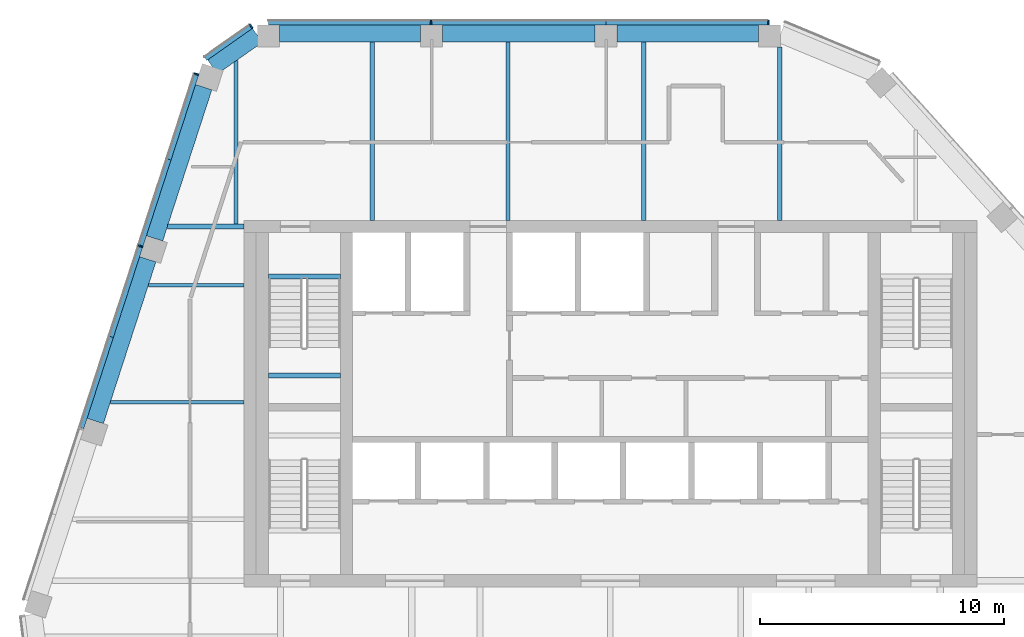
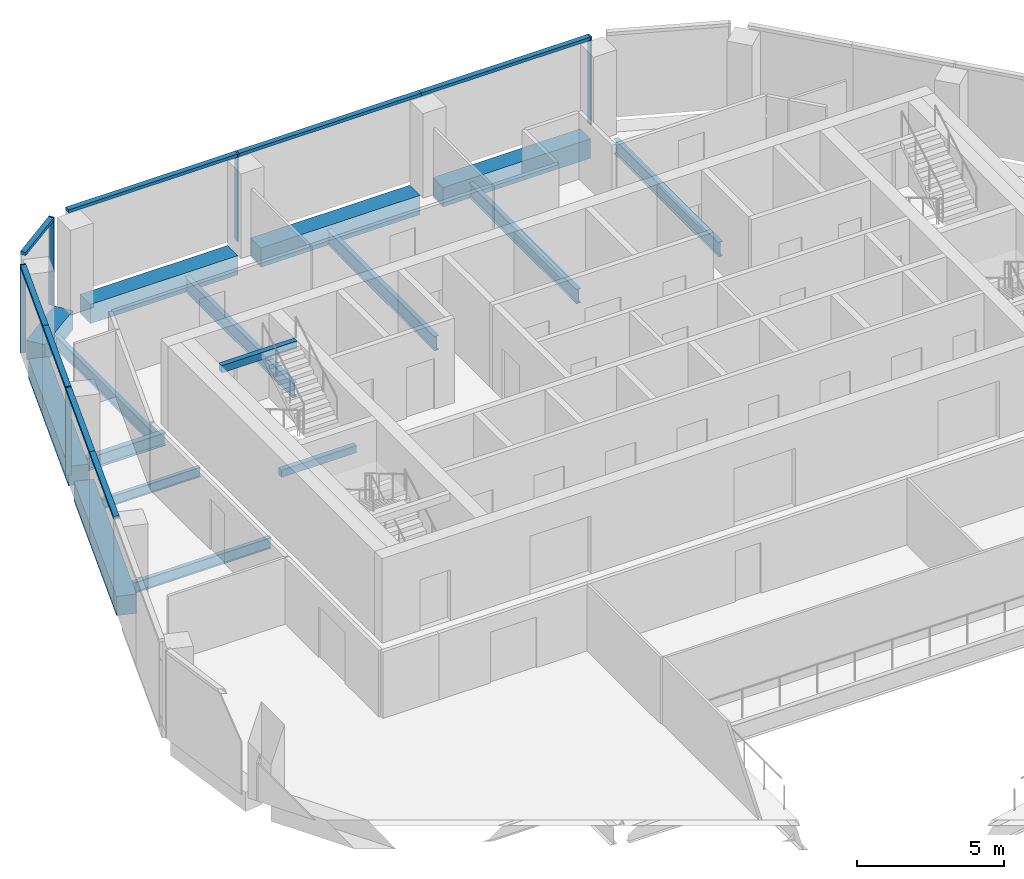
# One storey, part 5 of 15: 16 beams, 13 members, 3 elements without a shape of their own.
"""IFC4 building model written with IfcOpenShell, lengths in metres."""

from ifc_helpers import new_model, si_unit, direction, frame, origin, origin_2d, place, context, subcontext, project, spatial, rectangle, i_section, extrude, material, layer, layer_set, material_profile, profile_set, type_object, element, aggregate, save


model = new_model("IFC4")

# Units and contexts
model_context = context("Model", 3, precision=1e-05, world=origin(), true_north=direction((0.0, 1.0)))
body_context = subcontext(model_context, "Body", "Model", "MODEL_VIEW")
ifc_project = project(units=[si_unit("LENGTHUNIT", "METRE"), si_unit("AREAUNIT", "SQUARE_METRE"), si_unit("VOLUMEUNIT", "CUBIC_METRE"), si_unit("PLANEANGLEUNIT", "RADIAN"), si_unit("MASSUNIT", "GRAM", prefix="KILO")], contexts=[model_context])

# Site, building, storey
site_placement = place(None, origin())
site = spatial("IfcSite", under=ifc_project, at=site_placement, CompositionType="ELEMENT")
building_placement = place(site_placement, origin())
building = spatial("IfcBuilding", under=site, at=building_placement, Name="Isthmus Gate Tower", CompositionType="ELEMENT")
storey_placement = place(building_placement, frame((0.0, 0.0, 275.550048828125)))
storey = spatial("IfcBuildingStorey", under=building, at=storey_placement, Name="L70", CompositionType="ELEMENT", Elevation=275.550048828125)

# Curtain wall, members
ifc_material_1 = material(Name="Aluminium, pale champagne anodised", Category="aluminium")
ifc_layer = layer(ifc_material_1, 0.199951171875)
ifc_layer_set = layer_set([ifc_layer], Name="CW-1 UNITISED CURTAIN WALL 200 DEEP")
curtain_wall_type = type_object("IfcCurtainWallType", Name="CW-1 UNITISED CURTAIN WALL 200 DEEP", PredefinedType="NOTDEFINED", material=ifc_layer_set)
curtain_wall_1_placement = place(storey_placement, origin())
curtain_wall_1 = element("IfcCurtainWall", 1, at=curtain_wall_1_placement, inside=storey, type_object=curtain_wall_type, Name="CW-1 N L70", PredefinedType="NOTDEFINED")
ifc_material_2 = material(Name="Aluminium, pale champagne anodised", Category="aluminium")
ifc_material_profile_1 = material_profile(ifc_material_2, rectangle(XDim=0.06005859375, YDim=0.199951171875, at=origin_2d()), Name="60x200")
ifc_profile_set_1 = profile_set([ifc_material_profile_1], Name="Aluminium, pale champagne anodised")
member_type_1 = type_object("IfcMemberType", Name="CW-1 MULLION 60 X 200", PredefinedType="MULLION", material=ifc_profile_set_1)
member_1_placement = place(storey_placement, frame((6.4794921875, 23.10009765625, 0.0), z_axis=(0.0, 0.0, 1.0), x_axis=(-1.0, 0.0, 0.0)))
member_1 = element("IfcMember", 2, at=member_1_placement, type_object=member_type_1, Name="CW-1 mullion", PredefinedType="MULLION", context=body_context, shape_type="SweptSolid", body=[
    extrude(rectangle(XDim=0.06005859375, YDim=0.199951171875, at=origin_2d()), origin(), (0.0, 0.0, 1.0), 3.64990234375),
])
member_2_placement = place(storey_placement, frame((-7.339599609375, 23.10009765625, 0.0), z_axis=(0.0, 0.0, 1.0), x_axis=(-1.0, 0.0, 0.0)))
member_2 = element("IfcMember", 3, at=member_2_placement, type_object=member_type_1, Name="CW-1 mullion", PredefinedType="MULLION", context=body_context, shape_type="SweptSolid", body=[
    extrude(rectangle(XDim=0.06005859375, YDim=0.199951171875, at=origin_2d()), origin(), (0.0, 0.0, 1.0), 3.64990234375),
])

# Curtain wall, member
curtain_wall_2_placement = place(storey_placement, origin())
curtain_wall_2 = element("IfcCurtainWall", 4, at=curtain_wall_2_placement, inside=storey, type_object=curtain_wall_type, Name="CW-1 N-NW L70", PredefinedType="NOTDEFINED")
member_3_placement = place(storey_placement, frame((-14.69873046875, 22.943115234375, 0.0), z_axis=(0.0, 0.0, 1.0), x_axis=(-0.81785959165, -0.57541783805, 0.0)))
member_3 = element("IfcMember", 5, at=member_3_placement, type_object=member_type_1, Name="CW-1 mullion", PredefinedType="MULLION", context=body_context, shape_type="SweptSolid", body=[
    extrude(rectangle(XDim=0.06005859375, YDim=0.199951171875, at=origin_2d()), origin(), (0.0, 0.0, 1.0), 3.64990234375),
])

# Curtain wall, members
curtain_wall_3_placement = place(storey_placement, origin())
curtain_wall_3 = element("IfcCurtainWall", 6, at=curtain_wall_3_placement, inside=storey, type_object=curtain_wall_type, Name="CW-1 NW L70", PredefinedType="NOTDEFINED")
member_4_placement = place(storey_placement, frame((-16.9404296875, 20.9892578125, 0.0), z_axis=(0.0, 0.0, 1.0), x_axis=(-0.309016994375, -0.951056516295, 0.0)))
member_4 = element("IfcMember", 7, at=member_4_placement, type_object=member_type_1, Name="CW-1 mullion", PredefinedType="MULLION", context=body_context, shape_type="SweptSolid", body=[
    extrude(rectangle(XDim=0.06005859375, YDim=0.199951171875, at=origin_2d()), origin(), (0.0, 0.0, 1.0), 3.64990234375),
])
member_5_placement = place(storey_placement, frame((-19.229248046875, 13.945068359375, 0.0), z_axis=(0.0, 0.0, 1.0), x_axis=(-0.309016994375, -0.951056516295, 0.0)))
member_5 = element("IfcMember", 8, at=member_5_placement, type_object=member_type_1, Name="CW-1 mullion", PredefinedType="MULLION", context=body_context, shape_type="SweptSolid", body=[
    extrude(rectangle(XDim=0.06005859375, YDim=0.199951171875, at=origin_2d()), origin(), (0.0, 0.0, 1.0), 3.64990234375),
])

# Member
ifc_material_3 = material(Name="Aluminium, pale champagne anodised", Category="aluminium")
ifc_material_profile_2 = material_profile(ifc_material_3, rectangle(XDim=0.199951171875, YDim=0.1298828125, at=origin_2d()), Name="200x130")
ifc_profile_set_2 = profile_set([ifc_material_profile_2], Name="Aluminium, pale champagne anodised")
member_type_2 = type_object("IfcMemberType", Name="CW-1 TRANSOM 200 X 130", PredefinedType="USERDEFINED", material=ifc_profile_set_2)
member_6_placement = place(storey_placement, frame((6.449462890625, 23.10009765625, 3.5849609375), z_axis=(-1.0, 0.0, 0.0), x_axis=(0.0, -1.0, 0.0)))
member_6 = element("IfcMember", 9, at=member_6_placement, type_object=member_type_2, Name="CW-1 transom", ObjectType="TRANSOM", PredefinedType="USERDEFINED", context=body_context, shape_type="SweptSolid", body=[
    extrude(rectangle(XDim=0.199951171875, YDim=0.1298828125, at=origin_2d()), origin(), (0.0, 0.0, 1.0), 6.62451171875),
])

member_7_placement = place(storey_placement, frame((-0.175048828125, 23.10009765625, 3.5849609375), z_axis=(-1.0, 0.0, 0.0), x_axis=(0.0, -1.0, 0.0)))
member_7 = element("IfcMember", 10, at=member_7_placement, type_object=member_type_2, Name="CW-1 transom", ObjectType="TRANSOM", PredefinedType="USERDEFINED", context=body_context, shape_type="SweptSolid", body=[
    extrude(rectangle(XDim=0.199951171875, YDim=0.1298828125, at=origin_2d()), origin(), (0.0, 0.0, 1.0), 7.134521484375),
])

member_8_placement = place(storey_placement, frame((-7.36962890625, 23.10009765625, 3.5849609375), z_axis=(-1.0, 0.0, 0.0), x_axis=(0.0, -1.0, 0.0)))
member_8 = element("IfcMember", 11, at=member_8_placement, type_object=member_type_2, Name="CW-1 transom", ObjectType="TRANSOM", PredefinedType="USERDEFINED", context=body_context, shape_type="SweptSolid", body=[
    extrude(rectangle(XDim=0.199951171875, YDim=0.1298828125, at=origin_2d()), origin(), (0.0, 0.0, 1.0), 6.62451171875),
])

aggregate(curtain_wall_1, [member_1, member_6, member_7, member_2, member_8])

member_9_placement = place(storey_placement, frame((-14.723388671875, 22.92578125, 3.5849609375), z_axis=(-0.817868595604, -0.575405040233, 0.0), x_axis=(0.575405040233, -0.817868595604, 0.0)))
member_9 = element("IfcMember", 12, at=member_9_placement, type_object=member_type_2, Name="CW-1 transom", ObjectType="TRANSOM", PredefinedType="USERDEFINED", context=body_context, shape_type="SweptSolid", body=[
    extrude(rectangle(XDim=0.199951171875, YDim=0.1298828125, at=origin_2d()), origin(), (0.0, 0.0, 1.0), 2.258544921875),
])

aggregate(curtain_wall_2, [member_3, member_9])

member_10_placement = place(storey_placement, frame((-16.94970703125, 20.960693359375, 3.5849609375), z_axis=(-0.30904213216, -0.951048348166, 0.0), x_axis=(0.951048348166, -0.30904213216, 0.0)))
member_10 = element("IfcMember", 13, at=member_10_placement, type_object=member_type_2, Name="CW-1 transom", ObjectType="TRANSOM", PredefinedType="USERDEFINED", context=body_context, shape_type="SweptSolid", body=[
    extrude(rectangle(XDim=0.199951171875, YDim=0.1298828125, at=origin_2d()), origin(), (0.0, 0.0, 1.0), 3.6435546875),
])

member_11_placement = place(storey_placement, frame((-18.07568359375, 17.49560546875, 3.5849609375), z_axis=(-0.308999609488, -0.951062164812, 0.0), x_axis=(0.951062164812, -0.308999609488, 0.0)))
member_11 = element("IfcMember", 14, at=member_11_placement, type_object=member_type_2, Name="CW-1 transom", ObjectType="TRANSOM", PredefinedType="USERDEFINED", context=body_context, shape_type="SweptSolid", body=[
    extrude(rectangle(XDim=0.199951171875, YDim=0.1298828125, at=origin_2d()), origin(), (0.0, 0.0, 1.0), 3.703125),
])

member_12_placement = place(storey_placement, frame((-19.238525390625, 13.91650390625, 3.5849609375), z_axis=(-0.309061811928, -0.951041953022, 0.0), x_axis=(0.951041953022, -0.309061811928, 0.0)))
member_12 = element("IfcMember", 15, at=member_12_placement, type_object=member_type_2, Name="CW-1 transom", ObjectType="TRANSOM", PredefinedType="USERDEFINED", context=body_context, shape_type="SweptSolid", body=[
    extrude(rectangle(XDim=0.199951171875, YDim=0.1298828125, at=origin_2d()), origin(), (0.0, 0.0, 1.0), 3.868408203125),
])

member_13_placement = place(storey_placement, frame((-20.43408203125, 10.237548828125, 3.5849609375), z_axis=(-0.308984896154, -0.951066945041, 0.0), x_axis=(0.951066945041, -0.308984896154, 0.0)))
member_13 = element("IfcMember", 16, at=member_13_placement, type_object=member_type_2, Name="CW-1 transom", ObjectType="TRANSOM", PredefinedType="USERDEFINED", context=body_context, shape_type="SweptSolid", body=[
    extrude(rectangle(XDim=0.199951171875, YDim=0.1298828125, at=origin_2d()), origin(), (0.0, 0.0, 1.0), 3.928466796875),
])

aggregate(curtain_wall_3, [member_4, member_10, member_11, member_5, member_12, member_13])

# Beams
ifc_material_4 = material(Name="Concrete f'c 50 MPa", Category="concrete")
ifc_material_profile_3 = material_profile(ifc_material_4, rectangle(XDim=0.699951171875, YDim=0.800048828125, at=origin_2d()), Name="RC 700X800")
ifc_profile_set_3 = profile_set([ifc_material_profile_3], Name="Concrete f'c 50 MPa")
beam_type_1 = type_object("IfcBeamType", Name="RC SPANDREL 700 X 800", PredefinedType="SPANDREL", material=ifc_profile_set_3)
beam_1_placement = place(storey_placement, frame((-21.080810546875, 6.790283203125, -0.400146484375), z_axis=(0.309006716915, 0.951059855583, 0.0), x_axis=(-0.951059855583, 0.309006716915, 0.0)))
element("IfcBeam", 17, at=beam_1_placement, inside=storey, type_object=beam_type_1, Name="str-spandrel-L70-18", PredefinedType="SPANDREL", context=body_context, shape_type="SweptSolid", body=[
    extrude(rectangle(XDim=0.699951171875, YDim=0.800048828125, at=origin_2d()), origin(), (0.0, 0.0, 1.0), 6.956787109375),
])
beam_2_placement = place(storey_placement, frame((-18.653076171875, 14.262451171875, -0.400146484375), z_axis=(0.30901480678, 0.951057227085, 0.0), x_axis=(-0.951057227085, 0.30901480678, 0.0)))
element("IfcBeam", 18, at=beam_2_placement, inside=storey, type_object=beam_type_1, Name="str-spandrel-L70-19", PredefinedType="SPANDREL", context=body_context, shape_type="SweptSolid", body=[
    extrude(rectangle(XDim=0.699951171875, YDim=0.800048828125, at=origin_2d()), origin(), (0.0, 0.0, 1.0), 6.5068359375),
])
beam_3_placement = place(storey_placement, frame((-16.281005859375, 21.27978515625, -0.400146484375), z_axis=(0.817891678431, 0.57537222939, 0.0), x_axis=(-0.57537222939, 0.817891678431, 0.0)))
element("IfcBeam", 19, at=beam_3_placement, inside=storey, type_object=beam_type_1, Name="str-spandrel-L70-20", PredefinedType="SPANDREL", context=body_context, shape_type="SweptSolid", body=[
    extrude(rectangle(XDim=0.699951171875, YDim=0.800048828125, at=origin_2d()), origin(), (0.0, 0.0, 1.0), 2.245849609375),
])
beam_4_placement = place(storey_placement, frame((-13.544189453125, 22.64990234375, -0.400146484375), z_axis=(1.0, 0.0, 0.0), x_axis=(0.0, 1.0, 0.0)))
element("IfcBeam", 20, at=beam_4_placement, inside=storey, type_object=beam_type_1, Name="str-spandrel-L70-21", PredefinedType="SPANDREL", context=body_context, shape_type="SweptSolid", body=[
    extrude(rectangle(XDim=0.699951171875, YDim=0.800048828125, at=origin_2d()), origin(), (0.0, 0.0, 1.0), 5.78466796875),
])
beam_5_placement = place(storey_placement, frame((-6.859619140625, 22.64990234375, -0.400146484375), z_axis=(1.0, 0.0, 0.0), x_axis=(0.0, 1.0, 0.0)))
element("IfcBeam", 21, at=beam_5_placement, inside=storey, type_object=beam_type_1, Name="str-spandrel-L70-22", PredefinedType="SPANDREL", context=body_context, shape_type="SweptSolid", body=[
    extrude(rectangle(XDim=0.699951171875, YDim=0.800048828125, at=origin_2d()), origin(), (0.0, 0.0, 1.0), 6.234619140625),
])
beam_6_placement = place(storey_placement, frame((0.27490234375, 22.64990234375, -0.400146484375), z_axis=(1.0, 0.0, 0.0), x_axis=(0.0, 1.0, 0.0)))
element("IfcBeam", 22, at=beam_6_placement, inside=storey, type_object=beam_type_1, Name="str-spandrel-L70-23", PredefinedType="SPANDREL", context=body_context, shape_type="SweptSolid", body=[
    extrude(rectangle(XDim=0.699951171875, YDim=0.800048828125, at=origin_2d()), origin(), (0.0, 0.0, 1.0), 5.784423828125),
])
ifc_material_5 = material(Name="Concrete f'c 40 MPa", Category="concrete")
ifc_material_profile_4 = material_profile(ifc_material_5, rectangle(XDim=0.199951171875, YDim=0.300048828125, at=origin_2d()), Name="STAIR LANDING BEAM RC 200 X 300")
ifc_profile_set_4 = profile_set([ifc_material_profile_4], Name="Concrete f'c 40 MPa")
beam_type_2 = type_object("IfcBeamType", Name="STAIR LANDING BEAM RC 200 X 300", PredefinedType="BEAM", material=ifc_profile_set_4)
for number, where, z_axis, x_axis, name in (
    (23, (-14.0, 8.64990234375, 1.474853515625), (1.0, 0.0, 0.0), (0.0, 1.0, 0.0), "L70 ST1 landing beam 1"),
    (24, (-14.0, 12.7001953125, 3.349853515625), (1.0, 0.0, 0.0), (0.0, 1.0, 0.0), "L70 ST1 floor-edge seat beam"),
):
    element("IfcBeam", number, at=place(storey_placement, frame(where, z_axis=z_axis, x_axis=x_axis)), inside=storey, type_object=beam_type_2, Name=name, PredefinedType="BEAM", context=body_context, shape_type="SweptSolid", body=[
        extrude(rectangle(XDim=0.199951171875, YDim=0.300048828125, at=origin_2d()), origin(), (0.0, 0.0, 1.0), 2.949951171875),
    ])
ifc_material_6 = material(Name="Structural steel ASTM A992 Gr 50", Category="steel")
ifc_material_profile_5 = material_profile(ifc_material_6, i_section(OverallWidth=0.1396484375, OverallDepth=0.4033203125, WebThickness=0.00634765625, FlangeThickness=0.010986328125, at=origin_2d()), Name="W16X31")
ifc_profile_set_5 = profile_set([ifc_material_profile_5], Name="Structural steel ASTM A992 Gr 50")
beam_type_3 = type_object("IfcBeamType", Name="STEEL FLOOR BEAM W16X31", PredefinedType="JOIST", material=ifc_profile_set_5)
beam_7_placement = place(storey_placement, frame((-18.905517578125, 12.352294921875, -0.3515625), z_axis=(1.0, 0.0, 0.0), x_axis=(0.0, 1.0, 0.0)))
element("IfcBeam", 25, at=beam_7_placement, inside=storey, type_object=beam_type_3, Name="str-beam-L70-00-02", PredefinedType="JOIST", context=body_context, shape_type="SweptSolid", body=[
    extrude(i_section(OverallWidth=0.1396484375, OverallDepth=0.4033203125, WebThickness=0.00634765625, FlangeThickness=0.010986328125, at=origin_2d()), origin(), (0.0, 0.0, 1.0), 3.905517578125),
])
ifc_material_7 = material(Name="Structural steel ASTM A992 Gr 50", Category="steel")
ifc_material_profile_6 = material_profile(ifc_material_7, i_section(OverallWidth=0.15234375, OverallDepth=0.45068359375, WebThickness=0.0078125, FlangeThickness=0.010986328125, at=origin_2d()), Name="W18X35")
ifc_profile_set_6 = profile_set([ifc_material_profile_6], Name="Structural steel ASTM A992 Gr 50")
beam_type_4 = type_object("IfcBeamType", Name="STEEL FLOOR BEAM W18X35", PredefinedType="JOIST", material=ifc_profile_set_6)
beam_8_placement = place(storey_placement, frame((-20.463623046875, 7.55712890625, -0.37548828125), z_axis=(1.0, 0.0, 0.0), x_axis=(0.0, 1.0, 0.0)))
element("IfcBeam", 26, at=beam_8_placement, inside=storey, type_object=beam_type_4, Name="str-beam-L70-00-01", PredefinedType="JOIST", context=body_context, shape_type="SweptSolid", body=[
    extrude(i_section(OverallWidth=0.15234375, OverallDepth=0.45068359375, WebThickness=0.0078125, FlangeThickness=0.010986328125, at=origin_2d()), origin(), (0.0, 0.0, 1.0), 5.463623046875),
])
ifc_material_8 = material(Name="Structural steel ASTM A992 Gr 50", Category="steel")
ifc_material_profile_7 = material_profile(ifc_material_8, i_section(OverallWidth=0.1650390625, OverallDepth=0.52392578125, WebThickness=0.009521484375, FlangeThickness=0.010986328125, at=origin_2d()), Name="W21X44")
ifc_profile_set_7 = profile_set([ifc_material_profile_7], Name="Structural steel ASTM A992 Gr 50")
beam_type_5 = type_object("IfcBeamType", Name="STEEL FLOOR BEAM W21X44", PredefinedType="JOIST", material=ifc_profile_set_7)
beam_9_placement = place(storey_placement, frame((-15.311767578125, 14.854736328125, -0.412109375), z_axis=(0.0, 1.0, 0.0), x_axis=(-1.0, 0.0, 0.0)))
element("IfcBeam", 27, at=beam_9_placement, inside=storey, type_object=beam_type_5, Name="str-beam-L70-07-00", PredefinedType="JOIST", context=body_context, shape_type="SweptSolid", body=[
    extrude(i_section(OverallWidth=0.1650390625, OverallDepth=0.52392578125, WebThickness=0.009521484375, FlangeThickness=0.010986328125, at=origin_2d()), origin(), (0.0, 0.0, 1.0), 6.678955078125),
])
ifc_material_9 = material(Name="Structural steel ASTM A992 Gr 50", Category="steel")
ifc_material_profile_8 = material_profile(ifc_material_9, i_section(OverallWidth=0.177734375, OverallDepth=0.60009765625, WebThickness=0.009521484375, FlangeThickness=0.0126953125, at=origin_2d()), Name="W24X55")
ifc_profile_set_8 = profile_set([ifc_material_profile_8], Name="Structural steel ASTM A992 Gr 50")
beam_type_6 = type_object("IfcBeamType", Name="STEEL FLOOR BEAM W24X55", PredefinedType="JOIST", material=ifc_profile_set_8)
for number, where, z_axis, x_axis, name in (
    (28, (-9.750244140625, 15.0, -0.4501953125), (0.0, 1.0, 0.0), (-1.0, 0.0, 0.0), "str-beam-L70-07-01"),
    (29, (-4.188720703125, 15.0, -0.4501953125), (0.0, 1.0, 0.0), (-1.0, 0.0, 0.0), "str-beam-L70-07-02"),
    (30, (1.372802734375, 15.0, -0.4501953125), (0.0, 1.0, 0.0), (-1.0, 0.0, 0.0), "str-beam-L70-07-03"),
):
    element("IfcBeam", number, at=place(storey_placement, frame(where, z_axis=z_axis, x_axis=x_axis)), inside=storey, type_object=beam_type_6, Name=name, PredefinedType="JOIST", context=body_context, shape_type="SweptSolid", body=[
        extrude(i_section(OverallWidth=0.177734375, OverallDepth=0.60009765625, WebThickness=0.009521484375, FlangeThickness=0.0126953125, at=origin_2d()), origin(), (0.0, 0.0, 1.0), 7.300048828125),
    ])
beam_10_placement = place(storey_placement, frame((6.93408203125, 15.0, -0.4501953125), z_axis=(0.0, 1.0, 0.0), x_axis=(-1.0, 0.0, 0.0)))
element("IfcBeam", 31, at=beam_10_placement, inside=storey, type_object=beam_type_6, Name="str-beam-L70-07-04", PredefinedType="JOIST", context=body_context, shape_type="SweptSolid", body=[
    extrude(i_section(OverallWidth=0.177734375, OverallDepth=0.60009765625, WebThickness=0.009521484375, FlangeThickness=0.0126953125, at=origin_2d()), origin(), (0.0, 0.0, 1.0), 7.10009765625),
])
ifc_material_10 = material(Name="Structural steel ASTM A992 Gr 50", Category="steel")
ifc_material_profile_9 = material_profile(ifc_material_10, i_section(OverallWidth=0.20947265625, OverallDepth=0.533447265625, WebThickness=0.009521484375, FlangeThickness=0.015869140625, at=origin_2d()), Name="W21X62")
ifc_profile_set_9 = profile_set([ifc_material_profile_9], Name="Structural steel ASTM A992 Gr 50")
beam_type_7 = type_object("IfcBeamType", Name="STEEL GIRDER W21X62", PredefinedType="BEAM", material=ifc_profile_set_9)
beam_11_placement = place(storey_placement, frame((-15.0, 14.75, -0.416748046875), z_axis=(-1.0, 0.0, 0.0), x_axis=(0.0, -1.0, 0.0)))
element("IfcBeam", 32, at=beam_11_placement, inside=storey, type_object=beam_type_7, Name="str-girder-L70-11", PredefinedType="BEAM", context=body_context, shape_type="SweptSolid", body=[
    extrude(i_section(OverallWidth=0.20947265625, OverallDepth=0.533447265625, WebThickness=0.009521484375, FlangeThickness=0.015869140625, at=origin_2d()), origin(), (0.0, 0.0, 1.0), 3.12646484375),
])

save(model, "model.ifc")
